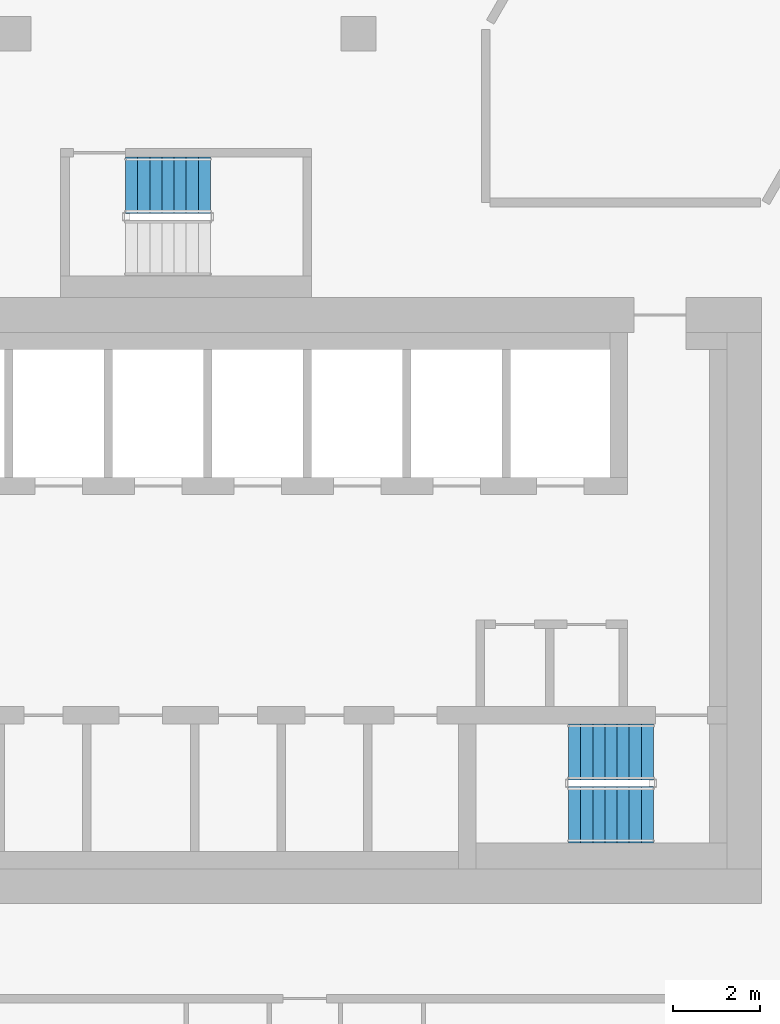
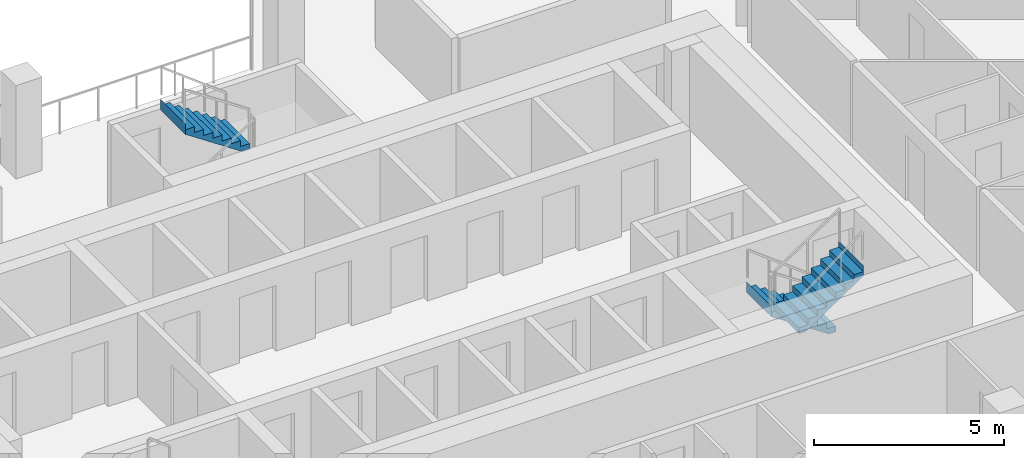
# One storey, part 11 of 15: 3 stair flights, 2 elements without a shape of their own.
"""IFC4 building model written with IfcOpenShell, lengths in metres."""

from ifc_helpers import new_model, si_unit, direction, frame, origin, place, context, subcontext, project, spatial, triangles, material, type_object, element, aggregate, save


model = new_model("IFC4")

# Units and contexts
model_context = context("Model", 3, precision=1e-05, world=origin(), true_north=direction((0.0, 1.0)))
body_context = subcontext(model_context, "Body", "Model", "MODEL_VIEW")
ifc_project = project(units=[si_unit("LENGTHUNIT", "METRE"), si_unit("AREAUNIT", "SQUARE_METRE"), si_unit("VOLUMEUNIT", "CUBIC_METRE"), si_unit("PLANEANGLEUNIT", "RADIAN"), si_unit("MASSUNIT", "GRAM", prefix="KILO")], contexts=[model_context])

# Site, building, storey
site_placement = place(None, origin())
site = spatial("IfcSite", under=ifc_project, at=site_placement, CompositionType="ELEMENT")
building_placement = place(site_placement, origin())
building = spatial("IfcBuilding", under=site, at=building_placement, Name="Beryl Residences", CompositionType="ELEMENT")
storey_placement = place(building_placement, frame((0.0, 0.0, 135.60009765625)))
storey = spatial("IfcBuildingStorey", under=building, at=storey_placement, Name="L41", CompositionType="ELEMENT", Elevation=135.60009765625)

# Stair, stair flights
ifc_material_1 = material(Name="Concrete C40/50", Category="concrete")
stair_type = type_object("IfcStairType", Name="ST1 protected exit stair, half-turn, 1300 mm flights", PredefinedType="HALF_TURN_STAIR", material=ifc_material_1)
stair_1_placement = place(storey_placement, origin())
stair_1 = element("IfcStair", 1, at=stair_1_placement, inside=storey, type_object=stair_type, Name="L41 PROTECTED EXIT STAIR ST-3", PredefinedType="HALF_TURN_STAIR")
ifc_material_2 = material(Name="Concrete C40/50", Category="concrete")
stair_flight_type = type_object("IfcStairFlightType", Name="SF1 stair flight 1300 mm", PredefinedType="STRAIGHT", material=ifc_material_2)
stair_flight_1_placement = place(storey_placement, frame((10.800048828125, -15.5, 0.0), z_axis=(0.0, 0.0, 1.0), x_axis=(-1.0, 0.0, 0.0)))
stair_flight_1 = element("IfcStairFlight", 2, at=stair_flight_1_placement, type_object=stair_flight_type, Name="ST-3 flight 1", NumberOfRisers=8, NumberOfTreads=7, PredefinedType="STRAIGHT", RiserHeight=0.1875, TreadLength=0.28, context=body_context, shape_type="Tessellation", body=[
    triangles([(0.0, -0.64990234375, 0.0), (0.0, -0.324951171875, 0.0), (0.0, 0.0, 0.0), (0.0, 0.324951171875, 0.0), (0.0, 0.64990234375, 0.0), (0.0, -0.64990234375, 0.1875), (0.0, -0.324951171875, 0.1875), (0.0, 0.0, 0.1875), (0.0, 0.324951171875, 0.1875), (0.0, 0.64990234375, 0.1875), (0.280029296875, -0.64990234375, 0.1875), (0.280029296875, -0.324951171875, 0.1875), (0.280029296875, 0.0, 0.1875), (0.280029296875, 0.324951171875, 0.1875), (0.280029296875, 0.64990234375, 0.1875), (0.280029296875, -0.64990234375, 0.375), (0.280029296875, -0.324951171875, 0.375), (0.280029296875, 0.0, 0.375), (0.280029296875, 0.324951171875, 0.375), (0.280029296875, 0.64990234375, 0.375), (0.56005859375, -0.64990234375, 0.375), (0.56005859375, -0.324951171875, 0.375), (0.56005859375, 0.0, 0.375), (0.56005859375, 0.324951171875, 0.375), (0.56005859375, 0.64990234375, 0.375), (0.56005859375, -0.64990234375, 0.5625), (0.56005859375, -0.324951171875, 0.5625), (0.56005859375, 0.0, 0.5625), (0.56005859375, 0.324951171875, 0.5625), (0.56005859375, 0.64990234375, 0.5625), (0.840087890625, -0.64990234375, 0.5625), (0.840087890625, -0.324951171875, 0.5625), (0.840087890625, 0.0, 0.5625), (0.840087890625, 0.324951171875, 0.5625), (0.840087890625, 0.64990234375, 0.5625), (0.840087890625, -0.64990234375, 0.75), (0.840087890625, -0.324951171875, 0.75), (0.840087890625, 0.0, 0.75), (0.840087890625, 0.324951171875, 0.75), (0.840087890625, 0.64990234375, 0.75), (1.1201171875, -0.64990234375, 0.75), (1.1201171875, -0.324951171875, 0.75), (1.1201171875, 0.0, 0.75), (1.1201171875, 0.324951171875, 0.75), (1.1201171875, 0.64990234375, 0.75), (1.1201171875, -0.64990234375, 0.9375), (1.1201171875, -0.324951171875, 0.9375), (1.1201171875, 0.0, 0.9375), (1.1201171875, 0.324951171875, 0.9375), (1.1201171875, 0.64990234375, 0.9375), (1.39990234375, -0.64990234375, 0.9375), (1.39990234375, -0.324951171875, 0.9375), (1.39990234375, 0.0, 0.9375), (1.39990234375, 0.324951171875, 0.9375), (1.39990234375, 0.64990234375, 0.9375), (1.39990234375, -0.64990234375, 1.125), (1.39990234375, -0.324951171875, 1.125), (1.39990234375, 0.0, 1.125), (1.39990234375, 0.324951171875, 1.125), (1.39990234375, 0.64990234375, 1.125), (1.679931640625, -0.64990234375, 1.125), (1.679931640625, -0.324951171875, 1.125), (1.679931640625, 0.0, 1.125), (1.679931640625, 0.324951171875, 1.125), (1.679931640625, 0.64990234375, 1.125), (1.679931640625, -0.64990234375, 1.3125), (1.679931640625, -0.324951171875, 1.3125), (1.679931640625, 0.0, 1.3125), (1.679931640625, 0.324951171875, 1.3125), (1.679931640625, 0.64990234375, 1.3125), (1.9599609375, -0.64990234375, 1.3125), (1.9599609375, -0.324951171875, 1.3125), (1.9599609375, 0.0, 1.3125), (1.9599609375, 0.324951171875, 1.3125), (1.9599609375, 0.64990234375, 1.3125), (1.9599609375, -0.64990234375, 1.5), (1.9599609375, -0.324951171875, 1.5), (1.9599609375, 0.0, 1.5), (1.9599609375, 0.324951171875, 1.5), (1.9599609375, 0.64990234375, 1.5), (1.9609375, -0.64990234375, 1.5), (1.9609375, -0.324951171875, 1.5), (1.9609375, 0.0, 1.5), (1.9609375, 0.324951171875, 1.5), (1.9609375, 0.64990234375, 1.5), (1.9609375, -0.64990234375, 1.16796875), (1.9609375, -0.324951171875, 1.16796875), (1.9609375, 0.0, 1.16796875), (1.9609375, 0.324951171875, 1.16796875), (1.9609375, 0.64990234375, 1.16796875), (0.216796875, -0.64990234375, 0.0), (0.216796875, -0.324951171875, 0.0), (0.216796875, 0.0, 0.0), (0.216796875, 0.324951171875, 0.0), (0.216796875, 0.64990234375, 0.0)], [[1, 6, 7], [1, 7, 2], [2, 7, 8], [2, 8, 3], [3, 8, 9], [3, 9, 4], [4, 9, 10], [4, 10, 5], [6, 11, 12], [6, 12, 7], [7, 12, 13], [7, 13, 8], [8, 13, 14], [8, 14, 9], [9, 14, 15], [9, 15, 10], [11, 16, 17], [11, 17, 12], [12, 17, 18], [12, 18, 13], [13, 18, 19], [13, 19, 14], [14, 19, 20], [14, 20, 15], [16, 21, 22], [16, 22, 17], [17, 22, 23], [17, 23, 18], [18, 23, 24], [18, 24, 19], [19, 24, 25], [19, 25, 20], [21, 26, 27], [21, 27, 22], [22, 27, 28], [22, 28, 23], [23, 28, 29], [23, 29, 24], [24, 29, 30], [24, 30, 25], [26, 31, 32], [26, 32, 27], [27, 32, 33], [27, 33, 28], [28, 33, 34], [28, 34, 29], [29, 34, 35], [29, 35, 30], [31, 36, 37], [31, 37, 32], [32, 37, 38], [32, 38, 33], [33, 38, 39], [33, 39, 34], [34, 39, 40], [34, 40, 35], [36, 41, 42], [36, 42, 37], [37, 42, 43], [37, 43, 38], [38, 43, 44], [38, 44, 39], [39, 44, 45], [39, 45, 40], [41, 46, 47], [41, 47, 42], [42, 47, 48], [42, 48, 43], [43, 48, 49], [43, 49, 44], [44, 49, 50], [44, 50, 45], [46, 51, 52], [46, 52, 47], [47, 52, 53], [47, 53, 48], [48, 53, 54], [48, 54, 49], [49, 54, 55], [49, 55, 50], [51, 56, 57], [51, 57, 52], [52, 57, 58], [52, 58, 53], [53, 58, 59], [53, 59, 54], [54, 59, 60], [54, 60, 55], [56, 61, 62], [56, 62, 57], [57, 62, 63], [57, 63, 58], [58, 63, 64], [58, 64, 59], [59, 64, 65], [59, 65, 60], [61, 66, 67], [61, 67, 62], [62, 67, 68], [62, 68, 63], [63, 68, 69], [63, 69, 64], [64, 69, 70], [64, 70, 65], [66, 71, 72], [66, 72, 67], [67, 72, 73], [67, 73, 68], [68, 73, 74], [68, 74, 69], [69, 74, 75], [69, 75, 70], [71, 76, 77], [71, 77, 72], [72, 77, 78], [72, 78, 73], [73, 78, 79], [73, 79, 74], [74, 79, 80], [74, 80, 75], [76, 81, 82], [76, 82, 77], [77, 82, 83], [77, 83, 78], [78, 83, 84], [78, 84, 79], [79, 84, 85], [79, 85, 80], [81, 86, 87], [81, 87, 82], [82, 87, 88], [82, 88, 83], [83, 88, 89], [83, 89, 84], [84, 89, 90], [84, 90, 85], [86, 91, 92], [86, 92, 87], [87, 92, 93], [87, 93, 88], [88, 93, 94], [88, 94, 89], [89, 94, 95], [89, 95, 90], [91, 1, 2], [91, 2, 92], [92, 2, 3], [92, 3, 93], [93, 3, 4], [93, 4, 94], [94, 4, 5], [94, 5, 95], [1, 91, 86], [5, 90, 95], [86, 81, 76], [90, 80, 85], [86, 76, 71], [90, 75, 80], [86, 71, 66], [90, 70, 75], [86, 66, 61], [90, 65, 70], [61, 56, 51], [65, 55, 60], [86, 61, 51], [90, 55, 65], [51, 46, 41], [55, 45, 50], [86, 51, 41], [90, 45, 55], [41, 36, 31], [45, 35, 40], [86, 41, 31], [90, 35, 45], [31, 26, 21], [35, 25, 30], [86, 31, 21], [90, 25, 35], [21, 16, 11], [25, 15, 20], [86, 21, 11], [90, 15, 25], [1, 86, 11], [5, 15, 90], [11, 6, 1], [15, 5, 10]], closed=True),
])
stair_flight_2_placement = place(storey_placement, frame((8.840087890625, -16.949951171875, 1.5), z_axis=(0.0, 0.0, 1.0), x_axis=(1.0, 0.0, 0.0)))
stair_flight_2 = element("IfcStairFlight", 3, at=stair_flight_2_placement, type_object=stair_flight_type, Name="ST-3 flight 2", NumberOfRisers=8, NumberOfTreads=7, PredefinedType="STRAIGHT", RiserHeight=0.1875, TreadLength=0.28, context=body_context, shape_type="Tessellation", body=[
    triangles([(0.0, -0.64990234375, 0.0), (0.0, -0.324951171875, 0.0), (0.0, 0.0, 0.0), (0.0, 0.324951171875, 0.0), (0.0, 0.64990234375, 0.0), (0.0, -0.64990234375, 0.1875), (0.0, -0.324951171875, 0.1875), (0.0, 0.0, 0.1875), (0.0, 0.324951171875, 0.1875), (0.0, 0.64990234375, 0.1875), (0.280029296875, -0.64990234375, 0.1875), (0.280029296875, -0.324951171875, 0.1875), (0.280029296875, 0.0, 0.1875), (0.280029296875, 0.324951171875, 0.1875), (0.280029296875, 0.64990234375, 0.1875), (0.280029296875, -0.64990234375, 0.375), (0.280029296875, -0.324951171875, 0.375), (0.280029296875, 0.0, 0.375), (0.280029296875, 0.324951171875, 0.375), (0.280029296875, 0.64990234375, 0.375), (0.56005859375, -0.64990234375, 0.375), (0.56005859375, -0.324951171875, 0.375), (0.56005859375, 0.0, 0.375), (0.56005859375, 0.324951171875, 0.375), (0.56005859375, 0.64990234375, 0.375), (0.56005859375, -0.64990234375, 0.5625), (0.56005859375, -0.324951171875, 0.5625), (0.56005859375, 0.0, 0.5625), (0.56005859375, 0.324951171875, 0.5625), (0.56005859375, 0.64990234375, 0.5625), (0.840087890625, -0.64990234375, 0.5625), (0.840087890625, -0.324951171875, 0.5625), (0.840087890625, 0.0, 0.5625), (0.840087890625, 0.324951171875, 0.5625), (0.840087890625, 0.64990234375, 0.5625), (0.840087890625, -0.64990234375, 0.75), (0.840087890625, -0.324951171875, 0.75), (0.840087890625, 0.0, 0.75), (0.840087890625, 0.324951171875, 0.75), (0.840087890625, 0.64990234375, 0.75), (1.1201171875, -0.64990234375, 0.75), (1.1201171875, -0.324951171875, 0.75), (1.1201171875, 0.0, 0.75), (1.1201171875, 0.324951171875, 0.75), (1.1201171875, 0.64990234375, 0.75), (1.1201171875, -0.64990234375, 0.9375), (1.1201171875, -0.324951171875, 0.9375), (1.1201171875, 0.0, 0.9375), (1.1201171875, 0.324951171875, 0.9375), (1.1201171875, 0.64990234375, 0.9375), (1.39990234375, -0.64990234375, 0.9375), (1.39990234375, -0.324951171875, 0.9375), (1.39990234375, 0.0, 0.9375), (1.39990234375, 0.324951171875, 0.9375), (1.39990234375, 0.64990234375, 0.9375), (1.39990234375, -0.64990234375, 1.125), (1.39990234375, -0.324951171875, 1.125), (1.39990234375, 0.0, 1.125), (1.39990234375, 0.324951171875, 1.125), (1.39990234375, 0.64990234375, 1.125), (1.679931640625, -0.64990234375, 1.125), (1.679931640625, -0.324951171875, 1.125), (1.679931640625, 0.0, 1.125), (1.679931640625, 0.324951171875, 1.125), (1.679931640625, 0.64990234375, 1.125), (1.679931640625, -0.64990234375, 1.3125), (1.679931640625, -0.324951171875, 1.3125), (1.679931640625, 0.0, 1.3125), (1.679931640625, 0.324951171875, 1.3125), (1.679931640625, 0.64990234375, 1.3125), (1.9599609375, -0.64990234375, 1.3125), (1.9599609375, -0.324951171875, 1.3125), (1.9599609375, 0.0, 1.3125), (1.9599609375, 0.324951171875, 1.3125), (1.9599609375, 0.64990234375, 1.3125), (1.9599609375, -0.64990234375, 1.5), (1.9599609375, -0.324951171875, 1.5), (1.9599609375, 0.0, 1.5), (1.9599609375, 0.324951171875, 1.5), (1.9599609375, 0.64990234375, 1.5), (1.9609375, -0.64990234375, 1.5), (1.9609375, -0.324951171875, 1.5), (1.9609375, 0.0, 1.5), (1.9609375, 0.324951171875, 1.5), (1.9609375, 0.64990234375, 1.5), (1.9609375, -0.64990234375, 1.16796875), (1.9609375, -0.324951171875, 1.16796875), (1.9609375, 0.0, 1.16796875), (1.9609375, 0.324951171875, 1.16796875), (1.9609375, 0.64990234375, 1.16796875), (0.216796875, -0.64990234375, 0.0), (0.216796875, -0.324951171875, 0.0), (0.216796875, 0.0, 0.0), (0.216796875, 0.324951171875, 0.0), (0.216796875, 0.64990234375, 0.0)], [[1, 6, 7], [1, 7, 2], [2, 7, 8], [2, 8, 3], [3, 8, 9], [3, 9, 4], [4, 9, 10], [4, 10, 5], [6, 11, 12], [6, 12, 7], [7, 12, 13], [7, 13, 8], [8, 13, 14], [8, 14, 9], [9, 14, 15], [9, 15, 10], [11, 16, 17], [11, 17, 12], [12, 17, 18], [12, 18, 13], [13, 18, 19], [13, 19, 14], [14, 19, 20], [14, 20, 15], [16, 21, 22], [16, 22, 17], [17, 22, 23], [17, 23, 18], [18, 23, 24], [18, 24, 19], [19, 24, 25], [19, 25, 20], [21, 26, 27], [21, 27, 22], [22, 27, 28], [22, 28, 23], [23, 28, 29], [23, 29, 24], [24, 29, 30], [24, 30, 25], [26, 31, 32], [26, 32, 27], [27, 32, 33], [27, 33, 28], [28, 33, 34], [28, 34, 29], [29, 34, 35], [29, 35, 30], [31, 36, 37], [31, 37, 32], [32, 37, 38], [32, 38, 33], [33, 38, 39], [33, 39, 34], [34, 39, 40], [34, 40, 35], [36, 41, 42], [36, 42, 37], [37, 42, 43], [37, 43, 38], [38, 43, 44], [38, 44, 39], [39, 44, 45], [39, 45, 40], [41, 46, 47], [41, 47, 42], [42, 47, 48], [42, 48, 43], [43, 48, 49], [43, 49, 44], [44, 49, 50], [44, 50, 45], [46, 51, 52], [46, 52, 47], [47, 52, 53], [47, 53, 48], [48, 53, 54], [48, 54, 49], [49, 54, 55], [49, 55, 50], [51, 56, 57], [51, 57, 52], [52, 57, 58], [52, 58, 53], [53, 58, 59], [53, 59, 54], [54, 59, 60], [54, 60, 55], [56, 61, 62], [56, 62, 57], [57, 62, 63], [57, 63, 58], [58, 63, 64], [58, 64, 59], [59, 64, 65], [59, 65, 60], [61, 66, 67], [61, 67, 62], [62, 67, 68], [62, 68, 63], [63, 68, 69], [63, 69, 64], [64, 69, 70], [64, 70, 65], [66, 71, 72], [66, 72, 67], [67, 72, 73], [67, 73, 68], [68, 73, 74], [68, 74, 69], [69, 74, 75], [69, 75, 70], [71, 76, 77], [71, 77, 72], [72, 77, 78], [72, 78, 73], [73, 78, 79], [73, 79, 74], [74, 79, 80], [74, 80, 75], [76, 81, 82], [76, 82, 77], [77, 82, 83], [77, 83, 78], [78, 83, 84], [78, 84, 79], [79, 84, 85], [79, 85, 80], [81, 86, 87], [81, 87, 82], [82, 87, 88], [82, 88, 83], [83, 88, 89], [83, 89, 84], [84, 89, 90], [84, 90, 85], [86, 91, 92], [86, 92, 87], [87, 92, 93], [87, 93, 88], [88, 93, 94], [88, 94, 89], [89, 94, 95], [89, 95, 90], [91, 1, 2], [91, 2, 92], [92, 2, 3], [92, 3, 93], [93, 3, 4], [93, 4, 94], [94, 4, 5], [94, 5, 95], [1, 91, 86], [5, 90, 95], [86, 81, 76], [90, 80, 85], [86, 76, 71], [90, 75, 80], [86, 71, 66], [90, 70, 75], [86, 66, 61], [90, 65, 70], [61, 56, 51], [65, 55, 60], [86, 61, 51], [90, 55, 65], [51, 46, 41], [55, 45, 50], [86, 51, 41], [90, 45, 55], [41, 36, 31], [45, 35, 40], [86, 41, 31], [90, 35, 45], [31, 26, 21], [35, 25, 30], [86, 31, 21], [90, 25, 35], [21, 16, 11], [25, 15, 20], [86, 21, 11], [90, 15, 25], [1, 86, 11], [5, 15, 90], [11, 6, 1], [15, 5, 10]], closed=True),
])
aggregate(stair_1, [stair_flight_1, stair_flight_2])

# Stair, stair flight
stair_2_placement = place(storey_placement, origin())
stair_2 = element("IfcStair", 4, at=stair_2_placement, inside=storey, type_object=stair_type, Name="L41 PROTECTED EXIT STAIR ST-4", PredefinedType="HALF_TURN_STAIR")
stair_flight_3_placement = place(storey_placement, frame((0.56005859375, -2.39990234375, 1.5), z_axis=(0.0, 0.0, 1.0), x_axis=(-1.0, 0.0, 0.0)))
stair_flight_3 = element("IfcStairFlight", 5, at=stair_flight_3_placement, type_object=stair_flight_type, Name="ST-4 flight 2", NumberOfRisers=8, NumberOfTreads=7, PredefinedType="STRAIGHT", RiserHeight=0.1875, TreadLength=0.28, context=body_context, shape_type="Tessellation", body=[
    triangles([(0.0, -0.64990234375, 0.0), (0.0, -0.324951171875, 0.0), (0.0, 0.0, 0.0), (0.0, 0.324951171875, 0.0), (0.0, 0.64990234375, 0.0), (0.0, -0.64990234375, 0.1875), (0.0, -0.324951171875, 0.1875), (0.0, 0.0, 0.1875), (0.0, 0.324951171875, 0.1875), (0.0, 0.64990234375, 0.1875), (0.280029296875, -0.64990234375, 0.1875), (0.280029296875, -0.324951171875, 0.1875), (0.280029296875, 0.0, 0.1875), (0.280029296875, 0.324951171875, 0.1875), (0.280029296875, 0.64990234375, 0.1875), (0.280029296875, -0.64990234375, 0.375), (0.280029296875, -0.324951171875, 0.375), (0.280029296875, 0.0, 0.375), (0.280029296875, 0.324951171875, 0.375), (0.280029296875, 0.64990234375, 0.375), (0.56005859375, -0.64990234375, 0.375), (0.56005859375, -0.324951171875, 0.375), (0.56005859375, 0.0, 0.375), (0.56005859375, 0.324951171875, 0.375), (0.56005859375, 0.64990234375, 0.375), (0.56005859375, -0.64990234375, 0.5625), (0.56005859375, -0.324951171875, 0.5625), (0.56005859375, 0.0, 0.5625), (0.56005859375, 0.324951171875, 0.5625), (0.56005859375, 0.64990234375, 0.5625), (0.840087890625, -0.64990234375, 0.5625), (0.840087890625, -0.324951171875, 0.5625), (0.840087890625, 0.0, 0.5625), (0.840087890625, 0.324951171875, 0.5625), (0.840087890625, 0.64990234375, 0.5625), (0.840087890625, -0.64990234375, 0.75), (0.840087890625, -0.324951171875, 0.75), (0.840087890625, 0.0, 0.75), (0.840087890625, 0.324951171875, 0.75), (0.840087890625, 0.64990234375, 0.75), (1.1201171875, -0.64990234375, 0.75), (1.1201171875, -0.324951171875, 0.75), (1.1201171875, 0.0, 0.75), (1.1201171875, 0.324951171875, 0.75), (1.1201171875, 0.64990234375, 0.75), (1.1201171875, -0.64990234375, 0.9375), (1.1201171875, -0.324951171875, 0.9375), (1.1201171875, 0.0, 0.9375), (1.1201171875, 0.324951171875, 0.9375), (1.1201171875, 0.64990234375, 0.9375), (1.39990234375, -0.64990234375, 0.9375), (1.39990234375, -0.324951171875, 0.9375), (1.39990234375, 0.0, 0.9375), (1.39990234375, 0.324951171875, 0.9375), (1.39990234375, 0.64990234375, 0.9375), (1.39990234375, -0.64990234375, 1.125), (1.39990234375, -0.324951171875, 1.125), (1.39990234375, 0.0, 1.125), (1.39990234375, 0.324951171875, 1.125), (1.39990234375, 0.64990234375, 1.125), (1.679931640625, -0.64990234375, 1.125), (1.679931640625, -0.324951171875, 1.125), (1.679931640625, 0.0, 1.125), (1.679931640625, 0.324951171875, 1.125), (1.679931640625, 0.64990234375, 1.125), (1.679931640625, -0.64990234375, 1.3125), (1.679931640625, -0.324951171875, 1.3125), (1.679931640625, 0.0, 1.3125), (1.679931640625, 0.324951171875, 1.3125), (1.679931640625, 0.64990234375, 1.3125), (1.9599609375, -0.64990234375, 1.3125), (1.9599609375, -0.324951171875, 1.3125), (1.9599609375, 0.0, 1.3125), (1.9599609375, 0.324951171875, 1.3125), (1.9599609375, 0.64990234375, 1.3125), (1.9599609375, -0.64990234375, 1.5), (1.9599609375, -0.324951171875, 1.5), (1.9599609375, 0.0, 1.5), (1.9599609375, 0.324951171875, 1.5), (1.9599609375, 0.64990234375, 1.5), (1.9609375, -0.64990234375, 1.5), (1.9609375, -0.324951171875, 1.5), (1.9609375, 0.0, 1.5), (1.9609375, 0.324951171875, 1.5), (1.9609375, 0.64990234375, 1.5), (1.9609375, -0.64990234375, 1.16796875), (1.9609375, -0.324951171875, 1.16796875), (1.9609375, 0.0, 1.16796875), (1.9609375, 0.324951171875, 1.16796875), (1.9609375, 0.64990234375, 1.16796875), (0.216796875, -0.64990234375, 0.0), (0.216796875, -0.324951171875, 0.0), (0.216796875, 0.0, 0.0), (0.216796875, 0.324951171875, 0.0), (0.216796875, 0.64990234375, 0.0)], [[1, 6, 7], [1, 7, 2], [2, 7, 8], [2, 8, 3], [3, 8, 9], [3, 9, 4], [4, 9, 10], [4, 10, 5], [6, 11, 12], [6, 12, 7], [7, 12, 13], [7, 13, 8], [8, 13, 14], [8, 14, 9], [9, 14, 15], [9, 15, 10], [11, 16, 17], [11, 17, 12], [12, 17, 18], [12, 18, 13], [13, 18, 19], [13, 19, 14], [14, 19, 20], [14, 20, 15], [16, 21, 22], [16, 22, 17], [17, 22, 23], [17, 23, 18], [18, 23, 24], [18, 24, 19], [19, 24, 25], [19, 25, 20], [21, 26, 27], [21, 27, 22], [22, 27, 28], [22, 28, 23], [23, 28, 29], [23, 29, 24], [24, 29, 30], [24, 30, 25], [26, 31, 32], [26, 32, 27], [27, 32, 33], [27, 33, 28], [28, 33, 34], [28, 34, 29], [29, 34, 35], [29, 35, 30], [31, 36, 37], [31, 37, 32], [32, 37, 38], [32, 38, 33], [33, 38, 39], [33, 39, 34], [34, 39, 40], [34, 40, 35], [36, 41, 42], [36, 42, 37], [37, 42, 43], [37, 43, 38], [38, 43, 44], [38, 44, 39], [39, 44, 45], [39, 45, 40], [41, 46, 47], [41, 47, 42], [42, 47, 48], [42, 48, 43], [43, 48, 49], [43, 49, 44], [44, 49, 50], [44, 50, 45], [46, 51, 52], [46, 52, 47], [47, 52, 53], [47, 53, 48], [48, 53, 54], [48, 54, 49], [49, 54, 55], [49, 55, 50], [51, 56, 57], [51, 57, 52], [52, 57, 58], [52, 58, 53], [53, 58, 59], [53, 59, 54], [54, 59, 60], [54, 60, 55], [56, 61, 62], [56, 62, 57], [57, 62, 63], [57, 63, 58], [58, 63, 64], [58, 64, 59], [59, 64, 65], [59, 65, 60], [61, 66, 67], [61, 67, 62], [62, 67, 68], [62, 68, 63], [63, 68, 69], [63, 69, 64], [64, 69, 70], [64, 70, 65], [66, 71, 72], [66, 72, 67], [67, 72, 73], [67, 73, 68], [68, 73, 74], [68, 74, 69], [69, 74, 75], [69, 75, 70], [71, 76, 77], [71, 77, 72], [72, 77, 78], [72, 78, 73], [73, 78, 79], [73, 79, 74], [74, 79, 80], [74, 80, 75], [76, 81, 82], [76, 82, 77], [77, 82, 83], [77, 83, 78], [78, 83, 84], [78, 84, 79], [79, 84, 85], [79, 85, 80], [81, 86, 87], [81, 87, 82], [82, 87, 88], [82, 88, 83], [83, 88, 89], [83, 89, 84], [84, 89, 90], [84, 90, 85], [86, 91, 92], [86, 92, 87], [87, 92, 93], [87, 93, 88], [88, 93, 94], [88, 94, 89], [89, 94, 95], [89, 95, 90], [91, 1, 2], [91, 2, 92], [92, 2, 3], [92, 3, 93], [93, 3, 4], [93, 4, 94], [94, 4, 5], [94, 5, 95], [1, 91, 86], [5, 90, 95], [86, 81, 76], [90, 80, 85], [86, 76, 71], [90, 75, 80], [86, 71, 66], [90, 70, 75], [86, 66, 61], [90, 65, 70], [61, 56, 51], [65, 55, 60], [86, 61, 51], [90, 55, 65], [51, 46, 41], [55, 45, 50], [86, 51, 41], [90, 45, 55], [41, 36, 31], [45, 35, 40], [86, 41, 31], [90, 35, 45], [31, 26, 21], [35, 25, 30], [86, 31, 21], [90, 25, 35], [21, 16, 11], [25, 15, 20], [86, 21, 11], [90, 15, 25], [1, 86, 11], [5, 15, 90], [11, 6, 1], [15, 5, 10]], closed=True),
])
aggregate(stair_2, [stair_flight_3])

save(model, "model.ifc")
